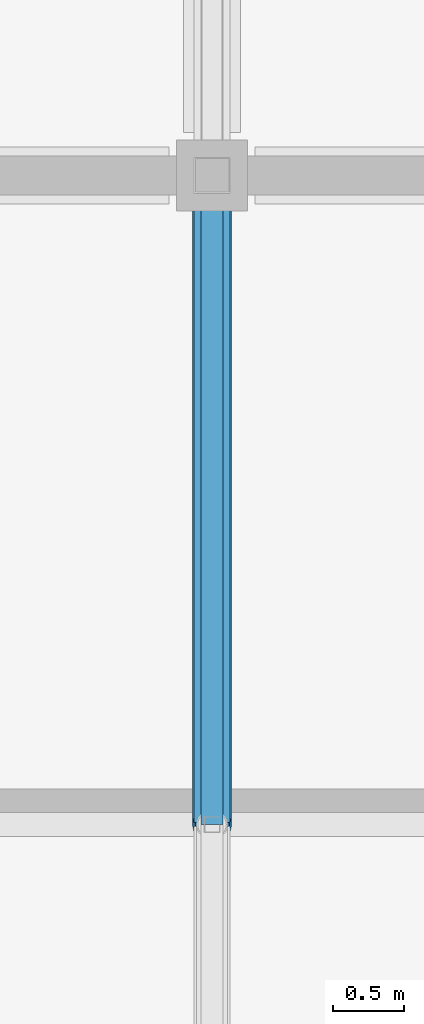
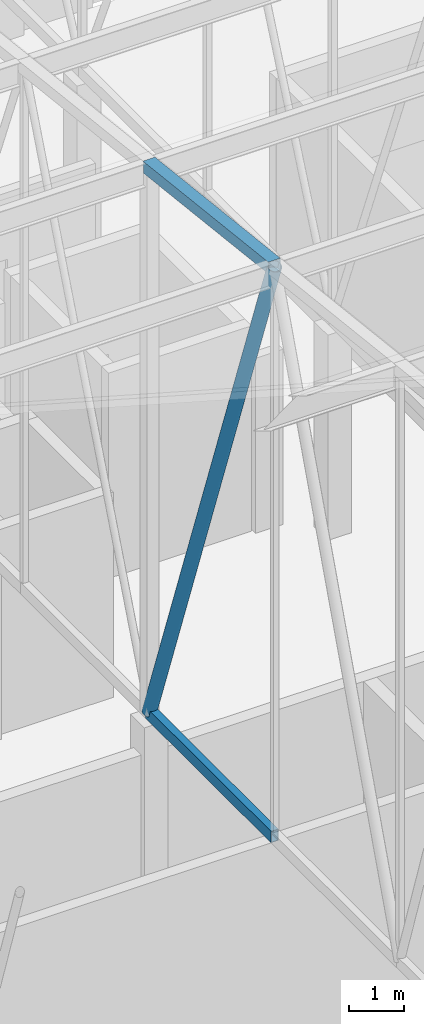
# One storey, part 283 of 500: 3 members.
"""IFC4 building model written with IfcOpenShell, lengths in metres."""

from ifc_helpers import new_model, si_unit, direction, frame, origin, origin_2d, place, context, subcontext, project, spatial, hollow_rectangle, hollow_circle, extrude, material, material_profile, profile_set, type_object, element, save


model = new_model("IFC4")

# Units and contexts
model_context = context("Model", 3, precision=1e-05, world=origin(), true_north=direction((0.0, 1.0)))
body_context = subcontext(model_context, "Body", "Model", "MODEL_VIEW")
ifc_project = project(units=[si_unit("LENGTHUNIT", "METRE"), si_unit("AREAUNIT", "SQUARE_METRE"), si_unit("VOLUMEUNIT", "CUBIC_METRE"), si_unit("PLANEANGLEUNIT", "RADIAN"), si_unit("MASSUNIT", "GRAM", prefix="KILO")], contexts=[model_context])

# Site, building, storey
site_placement = place(None, origin())
site = spatial("IfcSite", under=ifc_project, at=site_placement, CompositionType="ELEMENT")
building_placement = place(site_placement, origin())
building = spatial("IfcBuilding", under=site, at=building_placement, Name="Shirokan Park Arena", CompositionType="ELEMENT")
storey_placement = place(building_placement, frame((0.0, 0.0, 29.1201171875)))
storey = spatial("IfcBuildingStorey", under=building, at=storey_placement, Name="L06", CompositionType="ELEMENT", Elevation=29.1201171875)

# Members
ifc_material = material(Name="Steel ASTM A500 Grade C", Category="steel")
ifc_material_profile_1 = material_profile(ifc_material, hollow_rectangle(XDim=0.152099609375, YDim=0.25390625, WallThickness=0.009521484375, at=origin_2d()), Name="HSS254X152.4X9.5")
ifc_profile_set_1 = profile_set([ifc_material_profile_1], Name="Steel ASTM A500 Grade C")
member_type_1 = type_object("IfcMemberType", Name="Bottom chord HSS254X152.4X9.5", PredefinedType="CHORD", material=ifc_profile_set_1)
member_1_placement = place(storey_placement, frame((118.300048828125, 68.25, 4.677001953125), z_axis=(0.0, 1.0, 0.0), x_axis=(-1.0, 0.0, 0.0)))
element("IfcMember", 1, at=member_1_placement, inside=storey, type_object=member_type_1, Name="Truss T14 bottom chord 18", PredefinedType="CHORD", context=body_context, shape_type="SweptSolid", body=[
    extrude(hollow_rectangle(XDim=0.152099609375, YDim=0.25390625, WallThickness=0.009521484375, at=origin_2d()), origin(), (0.0, 0.0, 1.0), 4.550048828125),
])
ifc_material_profile_2 = material_profile(ifc_material, hollow_rectangle(XDim=0.25390625, YDim=0.25390625, WallThickness=0.009521484375, at=origin_2d()), Name="HSS254X254X9.5")
ifc_profile_set_2 = profile_set([ifc_material_profile_2], Name="Steel ASTM A500 Grade C")
member_type_2 = type_object("IfcMemberType", Name="Top chord HSS254X254X9.5", PredefinedType="CHORD", material=ifc_profile_set_2)
member_2_placement = place(storey_placement, frame((118.300048828125, 68.25, 17.302978515625), z_axis=(0.0, 0.993532328996, -0.113549598152), x_axis=(-1.0, 0.0, 0.0)))
element("IfcMember", 2, at=member_2_placement, inside=storey, type_object=member_type_2, Name="Truss T14 top chord 18", PredefinedType="CHORD", context=body_context, shape_type="SweptSolid", body=[
    extrude(hollow_rectangle(XDim=0.25390625, YDim=0.25390625, WallThickness=0.009521484375, at=origin_2d()), origin(), (0.0, 0.0, 1.0), 4.57958984375),
])
ifc_material_profile_3 = material_profile(ifc_material, hollow_circle(Radius=0.136474609375, WallThickness=0.009521484375, at=origin_2d()), Name="HSS273.1X9.5")
ifc_profile_set_3 = profile_set([ifc_material_profile_3], Name="Steel ASTM A500 Grade C")
member_type_3 = type_object("IfcMemberType", Name="Truss diagonal HSS273.1X9.5", PredefinedType="BRACE", material=ifc_profile_set_3)
member_3_placement = place(storey_placement, frame((118.300048828125, 68.25, 17.302978515625), z_axis=(0.0, 0.339029292845, -0.940775817394), x_axis=(-1.0, 0.0, 0.0)))
element("IfcMember", 3, at=member_3_placement, inside=storey, type_object=member_type_3, Name="Truss T14 diagonal 18", PredefinedType="BRACE", context=body_context, shape_type="SweptSolid", body=[
    extrude(hollow_circle(Radius=0.136474609375, WallThickness=0.009521484375, at=origin_2d()), origin(), (0.0, 0.0, 1.0), 13.4208984375),
])

save(model, "model.ifc")
